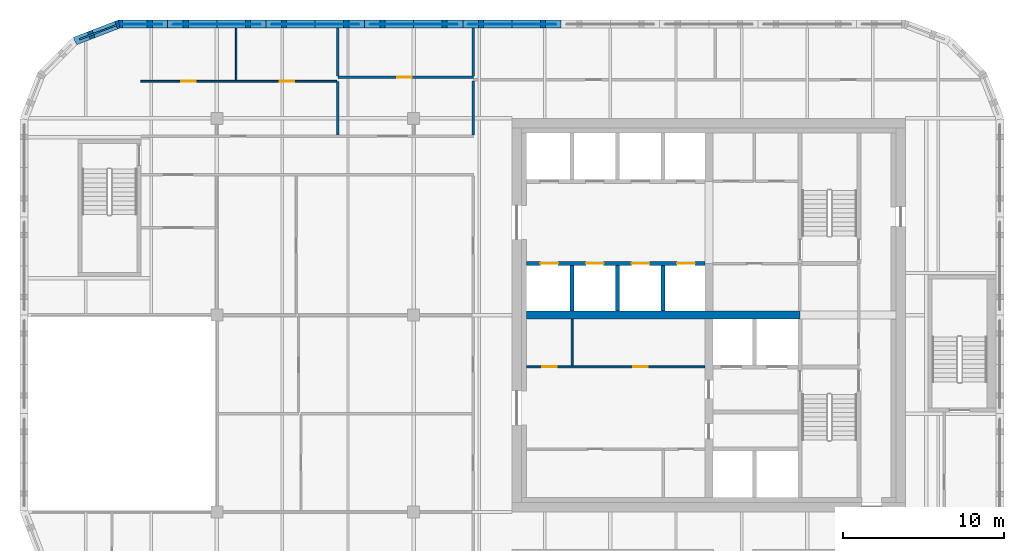
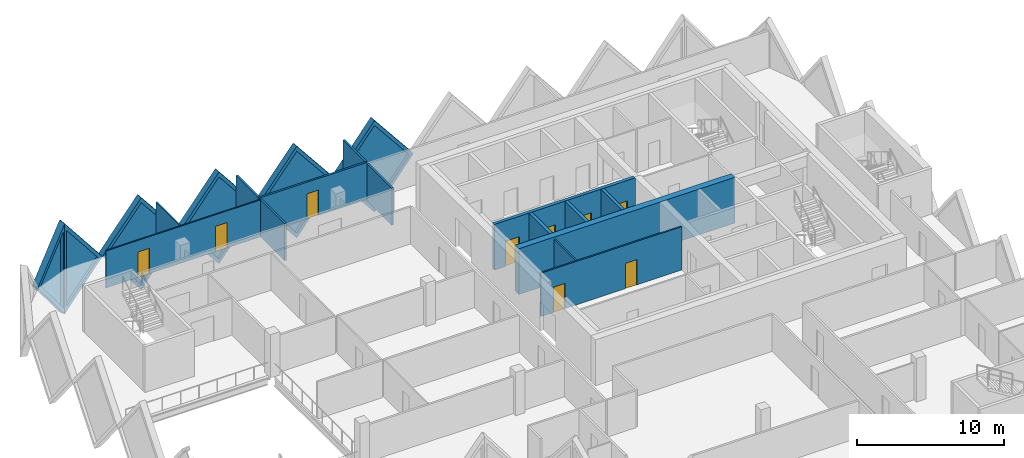
# One storey, part 8 of 12: 20 walls, 9 doors, 6 plates, 15 openings.
"""IFC4 building model written with IfcOpenShell, lengths in metres."""

from ifc_helpers import new_model, si_unit, direction, frame, frame_2d, origin, place, context, subcontext, project, spatial, polyline, rectangle, outline, extrude, faceted_brep, source, transform, mapped, material, layer, layer_set, type_object, element, fill, save


model = new_model("IFC4")

# Units and contexts
model_context = context("Model", 3, precision=1e-05, world=origin(), true_north=direction((0.0, 1.0)))
body_context = subcontext(model_context, "Body", "Model", "MODEL_VIEW")
ifc_project = project(units=[si_unit("LENGTHUNIT", "METRE"), si_unit("AREAUNIT", "SQUARE_METRE"), si_unit("VOLUMEUNIT", "CUBIC_METRE"), si_unit("PLANEANGLEUNIT", "RADIAN"), si_unit("MASSUNIT", "GRAM", prefix="KILO")], contexts=[model_context])

# Site, building, storey
site_placement = place(None, origin())
site = spatial("IfcSite", under=ifc_project, at=site_placement, CompositionType="ELEMENT")
building_placement = place(site_placement, origin())
building = spatial("IfcBuilding", under=site, at=building_placement, Name="Tessera Gate Towers", CompositionType="ELEMENT")
storey_placement = place(building_placement, frame((0.0, 0.0, 185.800048828125)))
storey = spatial("IfcBuildingStorey", under=building, at=storey_placement, Name="L46", CompositionType="ELEMENT", Elevation=185.800048828125)

# Wall, openings, doors
ifc_material_1 = material(Name="Concrete C40/50", Category="concrete")
ifc_layer_1 = layer(ifc_material_1, 0.25)
ifc_layer_set_1 = layer_set([ifc_layer_1], Name="CORE ENCLOSURE WALL 250")
wall_type_1 = type_object("IfcWallType", Name="CORE ENCLOSURE WALL 250", PredefinedType="SOLIDWALL", material=ifc_layer_set_1)
wall_1_placement = place(storey_placement, frame((31.39990234375, 39.800048828125, 0.0), z_axis=(0.0, 0.0, 1.0), x_axis=(1.0, 0.0, 0.0)))
wall_1 = element("IfcWall", 1, at=wall_1_placement, inside=storey, type_object=wall_type_1, Name="L46 shaft and stair enclosure wall", PredefinedType="SOLIDWALL", context=body_context, shape_type="SweptSolid", body=[
    extrude(rectangle(XDim=11.050048828125, YDim=0.25, at=frame_2d((5.52490234375, 0.0))), origin(), (0.0, 0.0, 1.0), 3.800048828125),
])
shared_shape_1 = source(origin(), body_context, "Body", "SweptSolid", [
    extrude(rectangle(XDim=1.10009765625, YDim=2.10009765625, at=frame_2d((0.550048828125, 1.050048828125))), frame((0.0, 0.135009765625, 0.0), z_axis=(0.0, -1.0, 0.0), x_axis=(1.0, 0.0, 0.0)), (0.0, 0.0, 1.0), 0.27001953125),
])
opening_1_placement = place(wall_1_placement, frame((0.862548828125, 0.0, 0.0)))
opening_1 = element("IfcOpeningElement", 2, at=opening_1_placement, cuts=wall_1, Name="Opening LD-HR1", PredefinedType="OPENING", context=body_context, shape_type="MappedRepresentation", body=[
    mapped(shared_shape_1, transform((0.0, 0.0, 0.0), scale=1.0)),
])
opening_2_placement = place(wall_1_placement, frame((3.6875, 0.0, 0.0)))
opening_2 = element("IfcOpeningElement", 3, at=opening_2_placement, cuts=wall_1, Name="Opening LD-HR2", PredefinedType="OPENING", context=body_context, shape_type="MappedRepresentation", body=[
    mapped(shared_shape_1, transform((0.0, 0.0, 0.0), scale=1.0)),
])
opening_3_placement = place(wall_1_placement, frame((6.512451171875, 0.0, 0.0)))
opening_3 = element("IfcOpeningElement", 4, at=opening_3_placement, cuts=wall_1, Name="Opening LD-HR3", PredefinedType="OPENING", context=body_context, shape_type="MappedRepresentation", body=[
    mapped(shared_shape_1, transform((0.0, 0.0, 0.0), scale=1.0)),
])
opening_4_placement = place(wall_1_placement, frame((9.33740234375, 0.0, 0.0)))
opening_4 = element("IfcOpeningElement", 5, at=opening_4_placement, cuts=wall_1, Name="Opening LD-HR4", PredefinedType="OPENING", context=body_context, shape_type="MappedRepresentation", body=[
    mapped(shared_shape_1, transform((0.0, 0.0, 0.0), scale=1.0)),
])
ifc_material_2 = material(Name="Stainless steel", Category="steel")
door_type_1 = type_object("IfcDoorType", Name="CORE DOOR LD 1100x2100", OperationType="DOUBLE_DOOR_SLIDING", PredefinedType="DOOR", material=ifc_material_2)
shared_shape_2 = source(origin(), body_context, "Body", "SweptSolid", [
    extrude(rectangle(XDim=1.10009765625, YDim=2.10009765625, at=frame_2d((0.550048828125, 1.050048828125))), frame((0.0, 0.02490234375, 0.0), z_axis=(0.0, -1.0, 0.0), x_axis=(1.0, 0.0, 0.0)), (0.0, 0.0, 1.0), 0.050048828125),
])
door_1_placement = place(opening_1_placement, origin())
door_1 = element("IfcDoor", 6, at=door_1_placement, inside=storey, type_object=door_type_1, Name="Landing door HR1 L46", OperationType="DOUBLE_DOOR_SLIDING", OverallHeight=2.10009765625, OverallWidth=1.10009765625, PredefinedType="DOOR", context=body_context, shape_type="MappedRepresentation", body=[
    mapped(shared_shape_2, transform((0.0, 0.0, 0.0), scale=1.0)),
])
fill(opening_1, door_1)
door_2_placement = place(opening_2_placement, origin())
door_2 = element("IfcDoor", 7, at=door_2_placement, inside=storey, type_object=door_type_1, Name="Landing door HR2 L46", OperationType="DOUBLE_DOOR_SLIDING", OverallHeight=2.10009765625, OverallWidth=1.10009765625, PredefinedType="DOOR", context=body_context, shape_type="MappedRepresentation", body=[
    mapped(shared_shape_2, transform((0.0, 0.0, 0.0), scale=1.0)),
])
fill(opening_2, door_2)
door_3_placement = place(opening_3_placement, origin())
door_3 = element("IfcDoor", 8, at=door_3_placement, inside=storey, type_object=door_type_1, Name="Landing door HR3 L46", OperationType="DOUBLE_DOOR_SLIDING", OverallHeight=2.10009765625, OverallWidth=1.10009765625, PredefinedType="DOOR", context=body_context, shape_type="MappedRepresentation", body=[
    mapped(shared_shape_2, transform((0.0, 0.0, 0.0), scale=1.0)),
])
fill(opening_3, door_3)
door_4_placement = place(opening_4_placement, origin())
door_4 = element("IfcDoor", 9, at=door_4_placement, inside=storey, type_object=door_type_1, Name="Landing door HR4 L46", OperationType="DOUBLE_DOOR_SLIDING", OverallHeight=2.10009765625, OverallWidth=1.10009765625, PredefinedType="DOOR", context=body_context, shape_type="MappedRepresentation", body=[
    mapped(shared_shape_2, transform((0.0, 0.0, 0.0), scale=1.0)),
])
fill(opening_4, door_4)

# Walls
for number, where, z_axis, x_axis, name in (
    (10, (34.22509765625, 36.85009765625, 0.0), (0.0, 0.0, 1.0), (0.0, 1.0, 0.0), "L46 shaft and stair enclosure wall"),
    (11, (37.050048828125, 36.85009765625, 0.0), (0.0, 0.0, 1.0), (0.0, 1.0, 0.0), "L46 shaft and stair enclosure wall"),
    (12, (39.875, 36.85009765625, 0.0), (0.0, 0.0, 1.0), (0.0, 1.0, 0.0), "L46 shaft and stair enclosure wall"),
):
    element("IfcWall", number, at=place(storey_placement, frame(where, z_axis=z_axis, x_axis=x_axis)), inside=storey, type_object=wall_type_1, Name=name, PredefinedType="SOLIDWALL", context=body_context, shape_type="SweptSolid", body=[
        extrude(rectangle(XDim=2.824951171875, YDim=0.25, at=frame_2d((1.41259765625, 0.0))), origin(), (0.0, 0.0, 1.0), 3.800048828125),
    ])

# Wall, openings, doors
ifc_material_3 = material(Name="Gypsum board on steel studs", Category="steel")
ifc_layer_2 = layer(ifc_material_3, 0.1201171875)
ifc_layer_set_2 = layer_set([ifc_layer_2], Name="CORE PARTITION 120")
wall_type_2 = type_object("IfcWallType", Name="CORE PARTITION 120", PredefinedType="PARTITIONING", material=ifc_layer_set_2)
wall_2_placement = place(storey_placement, frame((31.39990234375, 33.39990234375, 0.0), z_axis=(0.0, 0.0, 1.0), x_axis=(1.0, 0.0, 0.0)))
wall_2 = element("IfcWall", 13, at=wall_2_placement, inside=storey, type_object=wall_type_2, Name="L46 core partition", PredefinedType="PARTITIONING", context=body_context, shape_type="SweptSolid", body=[
    extrude(rectangle(XDim=11.050048828125, YDim=0.1201171875, at=frame_2d((5.52490234375, 0.0))), origin(), (0.0, 0.0, 1.0), 3.599853515625),
])
shared_shape_3 = source(origin(), body_context, "Body", "SweptSolid", [
    extrude(rectangle(XDim=0.89990234375, YDim=2.10009765625, at=frame_2d((0.449951171875, 1.050048828125))), frame((0.0, 0.070068359375, 0.0), z_axis=(0.0, -1.0, 0.0), x_axis=(1.0, 0.0, 0.0)), (0.0, 0.0, 1.0), 0.14013671875),
])
opening_5_placement = place(wall_2_placement, frame((0.96240234375, 0.0, 0.0)))
opening_5 = element("IfcOpeningElement", 14, at=opening_5_placement, cuts=wall_2, Name="Opening RD-T1-28-07", PredefinedType="OPENING", context=body_context, shape_type="MappedRepresentation", body=[
    mapped(shared_shape_3, transform((0.0, 0.0, 0.0), scale=1.0)),
])
opening_6_placement = place(wall_2_placement, frame((6.612548828125, 0.0, 0.0)))
opening_6 = element("IfcOpeningElement", 15, at=opening_6_placement, cuts=wall_2, Name="Opening RD-T1-28-08", PredefinedType="OPENING", context=body_context, shape_type="MappedRepresentation", body=[
    mapped(shared_shape_3, transform((0.0, 0.0, 0.0), scale=1.0)),
])
ifc_material_4 = material(Name="Hollow steel fire door", Category="steel")
door_type_2 = type_object("IfcDoorType", Name="CORE DOOR RD 900x2100", OperationType="NOTDEFINED", PredefinedType="DOOR", material=ifc_material_4)
shared_shape_4 = source(origin(), body_context, "Body", "SweptSolid", [
    extrude(rectangle(XDim=0.89990234375, YDim=2.10009765625, at=frame_2d((0.449951171875, 1.050048828125))), frame((0.0, 0.02490234375, 0.0), z_axis=(0.0, -1.0, 0.0), x_axis=(1.0, 0.0, 0.0)), (0.0, 0.0, 1.0), 0.050048828125),
])
door_5_placement = place(opening_5_placement, origin())
door_5 = element("IfcDoor", 16, at=door_5_placement, inside=storey, type_object=door_type_2, Name="Core room door", OperationType="SINGLE_SWING_LEFT", OverallHeight=2.10009765625, OverallWidth=0.89990234375, PredefinedType="DOOR", context=body_context, shape_type="MappedRepresentation", body=[
    mapped(shared_shape_4, transform((0.0, 0.0, 0.0), scale=1.0)),
])
fill(opening_5, door_5)
door_6_placement = place(opening_6_placement, origin())
door_6 = element("IfcDoor", 17, at=door_6_placement, inside=storey, type_object=door_type_2, Name="Core room door", OperationType="SINGLE_SWING_RIGHT", OverallHeight=2.10009765625, OverallWidth=0.89990234375, PredefinedType="DOOR", context=body_context, shape_type="MappedRepresentation", body=[
    mapped(shared_shape_4, transform((0.0, 0.0, 0.0), scale=1.0)),
])
fill(opening_6, door_6)

# Walls
wall_3_placement = place(storey_placement, frame((34.22509765625, 33.4599609375, 0.0), z_axis=(0.0, 0.0, 1.0), x_axis=(0.0, 1.0, 0.0)))
element("IfcWall", 18, at=wall_3_placement, inside=storey, type_object=wall_type_2, Name="L46 core partition", PredefinedType="PARTITIONING", context=body_context, shape_type="SweptSolid", body=[
    extrude(rectangle(XDim=2.89013671875, YDim=0.1201171875, at=frame_2d((1.445068359375, 0.0))), origin(), (0.0, 0.0, 1.0), 3.599853515625),
])
ifc_material_5 = material(Name="Concrete C50/60", Category="concrete")
ifc_layer_3 = layer(ifc_material_5, 0.5)
ifc_layer_set_3 = layer_set([ifc_layer_3], Name="CORE SPINE WALL 500 C50/60")
wall_type_3 = type_object("IfcWallType", Name="CORE SPINE WALL 500 C50/60", PredefinedType="SHEAR", material=ifc_layer_set_3)
wall_4_placement = place(storey_placement, frame((31.39990234375, 36.60009765625, 0.0), z_axis=(0.0, 0.0, 1.0), x_axis=(1.0, 0.0, 0.0)))
element("IfcWall", 19, at=wall_4_placement, inside=storey, type_object=wall_type_3, Name="Core wall spine L46", PredefinedType="SHEAR", context=body_context, shape_type="SweptSolid", body=[
    extrude(rectangle(XDim=16.9501953125, YDim=0.5, at=frame_2d((8.47509765625, 0.0))), origin(), (0.0, 0.0, 1.0), 3.800048828125),
])
ifc_material_6 = material(Name="Gypsum board on steel studs, mineral wool", Category="steel")
ifc_layer_4 = layer(ifc_material_6, 0.14990234375)
ifc_layer_set_4 = layer_set([ifc_layer_4], Name="CORRIDOR WALL 150")
wall_type_4 = type_object("IfcWallType", Name="CORRIDOR WALL 150", PredefinedType="PARTITIONING", material=ifc_layer_set_4)
wall_5_placement = place(storey_placement, frame((28.10009765625, 47.77587890625, 0.0), z_axis=(0.0, 0.0, 1.0), x_axis=(0.0, 1.0, 0.0)))
element("IfcWall", 20, at=wall_5_placement, inside=storey, type_object=wall_type_4, Name="T1-L46-PW-044", PredefinedType="PARTITIONING", context=body_context, shape_type="SweptSolid", body=[
    extrude(rectangle(XDim=3.34814453125, YDim=0.14990234375, at=frame_2d((1.674072265625, 0.0))), origin(), (0.0, 0.0, 1.0), 3.06689453125),
])

# Wall, openings, doors
ifc_material_7 = material(Name="Gypsum board on steel studs", Category="steel")
ifc_layer_5 = layer(ifc_material_7, 0.10009765625)
ifc_layer_set_5 = layer_set([ifc_layer_5], Name="PARTITION 100")
wall_type_5 = type_object("IfcWallType", Name="PARTITION 100", PredefinedType="PARTITIONING", material=ifc_layer_set_5)
wall_6_placement = place(storey_placement, frame((7.5, 51.10009765625, 0.0), z_axis=(0.0, 0.0, 1.0), x_axis=(1.0, 0.0, 0.0)))
wall_6 = element("IfcWall", 21, at=wall_6_placement, inside=storey, type_object=wall_type_5, Name="T1-L46-PW-047", PredefinedType="PARTITIONING", context=body_context, shape_type="SweptSolid", body=[
    extrude(rectangle(XDim=12.1240234375, YDim=0.10009765625, at=frame_2d((6.06201171875, 0.0))), origin(), (0.0, 0.0, 1.0), 3.06689453125),
])
shared_shape_5 = source(origin(), body_context, "Body", "SweptSolid", [
    extrude(rectangle(XDim=0.89990234375, YDim=2.10009765625, at=frame_2d((0.449951171875, 1.050048828125))), frame((0.0, 0.06005859375, 0.0), z_axis=(0.0, -1.0, 0.0), x_axis=(1.0, 0.0, 0.0)), (0.0, 0.0, 1.0), 0.1201171875),
])
opening_7_placement = place(wall_6_placement, frame((2.5, 0.0, 0.0)))
opening_7 = element("IfcOpeningElement", 22, at=opening_7_placement, cuts=wall_6, Name="Opening D190-A17-03", PredefinedType="OPENING", context=body_context, shape_type="MappedRepresentation", body=[
    mapped(shared_shape_5, transform((0.0, 0.0, 0.0), scale=1.0)),
])
opening_8_placement = place(wall_6_placement, frame((8.59375, 0.0, 0.0)))
opening_8 = element("IfcOpeningElement", 23, at=opening_8_placement, cuts=wall_6, Name="Opening D190-A17-06", PredefinedType="OPENING", context=body_context, shape_type="MappedRepresentation", body=[
    mapped(shared_shape_5, transform((0.0, 0.0, 0.0), scale=1.0)),
])
ifc_material_8 = material(Name="Timber door leaf in steel frame", Category="steel")
door_type_3 = type_object("IfcDoorType", Name="INTERNAL DOOR 900 NOT RATED", OperationType="NOTDEFINED", PredefinedType="DOOR", material=ifc_material_8)
door_7_placement = place(opening_7_placement, origin())
door_7 = element("IfcDoor", 24, at=door_7_placement, inside=storey, type_object=door_type_3, Name="T1-L46-PD-011", OperationType="SINGLE_SWING_LEFT", OverallHeight=2.10009765625, OverallWidth=0.89990234375, PredefinedType="DOOR", context=body_context, shape_type="MappedRepresentation", body=[
    mapped(shared_shape_4, transform((0.0, 0.0, 0.0), scale=1.0)),
])
fill(opening_7, door_7)
door_8_placement = place(opening_8_placement, origin())
door_8 = element("IfcDoor", 25, at=door_8_placement, inside=storey, type_object=door_type_3, Name="T1-L46-PD-017", OperationType="SINGLE_SWING_LEFT", OverallHeight=2.10009765625, OverallWidth=0.89990234375, PredefinedType="DOOR", context=body_context, shape_type="MappedRepresentation", body=[
    mapped(shared_shape_4, transform((0.0, 0.0, 0.0), scale=1.0)),
])
fill(opening_8, door_8)

# Walls
wall_7_placement = place(storey_placement, frame((13.39404296875, 51.15087890625, 0.0), z_axis=(0.0, 0.0, 1.0), x_axis=(0.0, 1.0, 0.0)))
element("IfcWall", 26, at=wall_7_placement, inside=storey, type_object=wall_type_5, Name="T1-L46-PW-048", PredefinedType="PARTITIONING", context=body_context, shape_type="SweptSolid", body=[
    extrude(rectangle(XDim=3.2490234375, YDim=0.10009765625, at=frame_2d((1.62451171875, 0.0))), origin(), (0.0, 0.0, 1.0), 3.06689453125),
])
ifc_material_9 = material(Name="Gypsum board on steel studs, mineral wool", Category="steel")
ifc_layer_6 = layer(ifc_material_9, 0.14990234375)
ifc_layer_set_6 = layer_set([ifc_layer_6], Name="TENANCY WALL 150")
wall_type_6 = type_object("IfcWallType", Name="TENANCY WALL 150", PredefinedType="PARTITIONING", material=ifc_layer_set_6)
wall_8_placement = place(storey_placement, frame((19.699951171875, 47.77587890625, 0.0), z_axis=(0.0, 0.0, 1.0), x_axis=(0.0, 1.0, 0.0)))
element("IfcWall", 27, at=wall_8_placement, inside=storey, type_object=wall_type_6, Name="T1-L46-PW-043", PredefinedType="PARTITIONING", context=body_context, shape_type="SweptSolid", body=[
    extrude(rectangle(XDim=3.32421875, YDim=0.14990234375, at=frame_2d((1.662109375, 0.0))), origin(), (0.0, 0.0, 1.0), 3.06689453125),
])

# Wall, opening, door
wall_9_placement = place(storey_placement, frame((19.699951171875, 51.35009765625, 0.0), z_axis=(0.0, 0.0, 1.0), x_axis=(1.0, 0.0, 0.0)))
wall_9 = element("IfcWall", 28, at=wall_9_placement, inside=storey, type_object=wall_type_6, Name="T1-L46-PW-051", PredefinedType="PARTITIONING", context=body_context, shape_type="SweptSolid", body=[
    extrude(rectangle(XDim=8.400146484375, YDim=0.14990234375, at=frame_2d((4.2001953125, 0.0))), origin(), (0.0, 0.0, 1.0), 3.06689453125),
])
shared_shape_6 = source(origin(), body_context, "Body", "SweptSolid", [
    extrude(rectangle(XDim=0.89990234375, YDim=2.10009765625, at=frame_2d((0.449951171875, 1.050048828125))), frame((0.0, 0.0849609375, 0.0), z_axis=(0.0, -1.0, 0.0), x_axis=(1.0, 0.0, 0.0)), (0.0, 0.0, 1.0), 0.169921875),
])
opening_9_placement = place(wall_9_placement, frame((3.699951171875, 0.0, 0.0)))
opening_9 = element("IfcOpeningElement", 29, at=opening_9_placement, cuts=wall_9, Name="Opening D190-A17-07", PredefinedType="OPENING", context=body_context, shape_type="MappedRepresentation", body=[
    mapped(shared_shape_6, transform((0.0, 0.0, 0.0), scale=1.0)),
])
door_9_placement = place(opening_9_placement, origin())
door_9 = element("IfcDoor", 30, at=door_9_placement, inside=storey, type_object=door_type_3, Name="T1-L46-PD-019", OperationType="SINGLE_SWING_LEFT", OverallHeight=2.10009765625, OverallWidth=0.89990234375, PredefinedType="DOOR", context=body_context, shape_type="MappedRepresentation", body=[
    mapped(shared_shape_4, transform((0.0, 0.0, 0.0), scale=1.0)),
])
fill(opening_9, door_9)

# Walls
for number, where, z_axis, x_axis, name in (
    (31, (19.699951171875, 51.426025390625, 0.0), (0.0, 0.0, 1.0), (0.0, 1.0, 0.0), "T1-L46-PW-052"),
    (32, (28.10009765625, 51.426025390625, 0.0), (0.0, 0.0, 1.0), (0.0, 1.0, 0.0), "T1-L46-PW-053"),
):
    element("IfcWall", number, at=place(storey_placement, frame(where, z_axis=z_axis, x_axis=x_axis)), inside=storey, type_object=wall_type_6, Name=name, PredefinedType="PARTITIONING", context=body_context, shape_type="SweptSolid", body=[
        extrude(rectangle(XDim=2.973876953125, YDim=0.14990234375, at=frame_2d((1.48681640625, 0.0))), origin(), (0.0, 0.0, 1.0), 3.06689453125),
    ])

# Wall, opening, plate
ifc_material_10 = material(Name="Precast concrete C60/75 white", Category="concrete")
ifc_layer_7 = layer(ifc_material_10, 0.5)
ifc_layer_set_7 = layer_set([ifc_layer_7], Name="TS1 tessera")
wall_type_7 = type_object("IfcWallType", Name="TS1 tessera", PredefinedType="SOLIDWALL", material=ifc_layer_set_7)
shared_shape_7 = source(origin(), body_context, "Body", "Brep", [
    faceted_brep([(3.050048828125, -0.25, 0.0), (6.099853515625, -0.25, 3.7998046875), (6.099853515625, -0.25, 3.80029296875), (3.050048828125, -0.25, 7.60009765625), (0.0, -0.25, 3.800048828125), (0.0, 0.25, 3.800048828125), (3.050048828125, 0.25, 7.60009765625), (6.099853515625, 0.25, 3.80029296875), (6.099853515625, 0.25, 3.7998046875), (3.050048828125, 0.25, 0.0)], [[[0, 1, 2, 3, 4]], [[5, 6, 7, 8, 9]], [[9, 8, 1, 0]], [[7, 6, 3, 2]], [[6, 5, 4, 3]], [[5, 9, 0, 4]], [[1, 8, 7, 2]]]),
])
wall_10_placement = place(storey_placement, frame((27.449951171875, 54.64990234375, -3.800048828125), z_axis=(0.0, 0.0, 1.0), x_axis=(-1.0, 0.0, 0.0)))
wall_10 = element("IfcWall", 33, at=wall_10_placement, inside=storey, type_object=wall_type_7, Name="Precast tessera T1 TS1-0819", PredefinedType="SOLIDWALL", context=body_context, shape_type="MappedRepresentation", body=[
    mapped(shared_shape_7, transform((0.0, 0.0, 0.0), scale=1.0)),
])
shared_shape_8 = source(origin(), body_context, "Body", "SweptSolid", [
    extrude(outline(polyline([(3.050048828125, 0.3994140625), (5.779541015625, 3.800048828125), (3.050048828125, 7.20068359375), (0.320556640625, 3.800048828125), (3.050048828125, 0.3994140625)])), frame((0.0, 0.260009765625, 0.0), z_axis=(0.0, -1.0, 0.0), x_axis=(1.0, 0.0, 0.0)), (0.0, 0.0, 1.0), 0.52001953125),
])
opening_10_placement = place(wall_10_placement, origin())
opening_10 = element("IfcOpeningElement", 34, at=opening_10_placement, cuts=wall_10, Name="Opening T1-PL2-1669", PredefinedType="OPENING", context=body_context, shape_type="MappedRepresentation", body=[
    mapped(shared_shape_8, transform((0.0, 0.0, 0.0), scale=1.0)),
])
ifc_material_11 = material(Name="Low-e laminated glass", Category="glass")
ifc_layer_8 = layer(ifc_material_11, 0.06005859375)
ifc_layer_set_8 = layer_set([ifc_layer_8], Name="PL2 rhombic pane")
plate_type = type_object("IfcPlateType", Name="PL2 rhombic pane", PredefinedType="SHEET", material=ifc_layer_set_8)
shared_shape_9 = source(origin(), body_context, "Body", "SweptSolid", [
    extrude(outline(polyline([(3.050048828125, 0.3994140625), (5.779541015625, 3.800048828125), (3.050048828125, 7.20068359375), (0.320556640625, 3.800048828125), (3.050048828125, 0.3994140625)])), frame((0.0, 0.030029296875, 0.0), z_axis=(0.0, -1.0, 0.0), x_axis=(1.0, 0.0, 0.0)), (0.0, 0.0, 1.0), 0.06005859375),
])
plate_1_placement = place(opening_10_placement, origin())
plate_1 = element("IfcPlate", 35, at=plate_1_placement, inside=storey, type_object=plate_type, Name="Glass pane T1 PL2-1669", PredefinedType="SHEET", context=body_context, shape_type="MappedRepresentation", body=[
    mapped(shared_shape_9, transform((0.0, 0.0, 0.0), scale=1.0)),
])
fill(opening_10, plate_1)

shared_shape_10 = source(origin(), body_context, "Body", "SweptSolid", [
    extrude(outline(polyline([(3.050048828125, 0.0), (6.10009765625, 3.800048828125), (3.050048828125, 7.60009765625), (0.0, 3.800048828125), (3.050048828125, 0.0)])), frame((0.0, 0.25, 0.0), z_axis=(0.0, -1.0, 0.0), x_axis=(1.0, 0.0, 0.0)), (0.0, 0.0, 1.0), 0.5),
])
wall_11_placement = place(storey_placement, frame((33.550048828125, 54.64990234375, -3.800048828125), z_axis=(0.0, 0.0, 1.0), x_axis=(-1.0, 0.0, 0.0)))
wall_11 = element("IfcWall", 36, at=wall_11_placement, inside=storey, type_object=wall_type_7, Name="Precast tessera T1 TS1-0818", PredefinedType="SOLIDWALL", context=body_context, shape_type="MappedRepresentation", body=[
    mapped(shared_shape_10, transform((0.0, 0.0, 0.0), scale=1.0)),
])
opening_11_placement = place(wall_11_placement, origin())
opening_11 = element("IfcOpeningElement", 37, at=opening_11_placement, cuts=wall_11, Name="Opening T1-PL2-1668", PredefinedType="OPENING", context=body_context, shape_type="MappedRepresentation", body=[
    mapped(shared_shape_8, transform((0.0, 0.0, 0.0), scale=1.0)),
])
plate_2_placement = place(opening_11_placement, origin())
plate_2 = element("IfcPlate", 38, at=plate_2_placement, inside=storey, type_object=plate_type, Name="Glass pane T1 PL2-1668", PredefinedType="SHEET", context=body_context, shape_type="MappedRepresentation", body=[
    mapped(shared_shape_9, transform((0.0, 0.0, 0.0), scale=1.0)),
])
fill(opening_11, plate_2)

wall_12_placement = place(storey_placement, frame((21.35009765625, 54.64990234375, -3.800048828125), z_axis=(0.0, 0.0, 1.0), x_axis=(-1.0, 0.0, 0.0)))
wall_12 = element("IfcWall", 39, at=wall_12_placement, inside=storey, type_object=wall_type_7, Name="Precast tessera T1 TS1-0820", PredefinedType="SOLIDWALL", context=body_context, shape_type="MappedRepresentation", body=[
    mapped(shared_shape_10, transform((0.0, 0.0, 0.0), scale=1.0)),
])
opening_12_placement = place(wall_12_placement, origin())
opening_12 = element("IfcOpeningElement", 40, at=opening_12_placement, cuts=wall_12, Name="Opening T1-PL2-1670", PredefinedType="OPENING", context=body_context, shape_type="MappedRepresentation", body=[
    mapped(shared_shape_8, transform((0.0, 0.0, 0.0), scale=1.0)),
])
plate_3_placement = place(opening_12_placement, origin())
plate_3 = element("IfcPlate", 41, at=plate_3_placement, inside=storey, type_object=plate_type, Name="Glass pane T1 PL2-1670", PredefinedType="SHEET", context=body_context, shape_type="MappedRepresentation", body=[
    mapped(shared_shape_9, transform((0.0, 0.0, 0.0), scale=1.0)),
])
fill(opening_12, plate_3)

wall_13_placement = place(storey_placement, frame((15.25, 54.64990234375, -3.800048828125), z_axis=(0.0, 0.0, 1.0), x_axis=(-1.0, 0.0, 0.0)))
wall_13 = element("IfcWall", 42, at=wall_13_placement, inside=storey, type_object=wall_type_7, Name="Precast tessera T1 TS1-0821", PredefinedType="SOLIDWALL", context=body_context, shape_type="MappedRepresentation", body=[
    mapped(shared_shape_10, transform((0.0, 0.0, 0.0), scale=1.0)),
])
opening_13_placement = place(wall_13_placement, origin())
opening_13 = element("IfcOpeningElement", 43, at=opening_13_placement, cuts=wall_13, Name="Opening T1-PL2-1671", PredefinedType="OPENING", context=body_context, shape_type="MappedRepresentation", body=[
    mapped(shared_shape_8, transform((0.0, 0.0, 0.0), scale=1.0)),
])
plate_4_placement = place(opening_13_placement, origin())
plate_4 = element("IfcPlate", 44, at=plate_4_placement, inside=storey, type_object=plate_type, Name="Glass pane T1 PL2-1671", PredefinedType="SHEET", context=body_context, shape_type="MappedRepresentation", body=[
    mapped(shared_shape_9, transform((0.0, 0.0, 0.0), scale=1.0)),
])
fill(opening_13, plate_4)

ifc_material_12 = material(Name="Precast concrete C60/75 white", Category="concrete")
ifc_layer_9 = layer(ifc_material_12, 0.5)
ifc_layer_set_9 = layer_set([ifc_layer_9], Name="TS3 corner tessera")
wall_type_8 = type_object("IfcWallType", Name="TS3 corner tessera", PredefinedType="SOLIDWALL", material=ifc_layer_set_9)
shared_shape_11 = source(origin(), body_context, "Body", "Brep", [
    faceted_brep([(3.00341796875, -0.25, 0.0), (3.050048828125, -0.25, 0.06005859375), (3.050048828125, -0.25, 7.5400390625), (3.00341796875, -0.25, 7.60009765625), (0.0, -0.25, 3.800048828125), (0.0, 0.25, 3.800048828125), (2.956787109375, 0.25, 7.541259765625), (2.956787109375, 0.25, 0.058837890625), (3.00341796875, 0.000244140625, 0.0), (3.00341796875, 0.000244140625, 7.60009765625)], [[[0, 1, 2, 3, 4]], [[5, 6, 7]], [[1, 0, 8]], [[9, 3, 2]], [[6, 5, 4, 3, 9]], [[5, 7, 8, 0, 4]], [[1, 8, 7, 6, 9, 2]]]),
])
wall_14_placement = place(storey_placement, frame((9.14990234375, 54.64990234375, -3.800048828125), z_axis=(0.0, 0.0, 1.0), x_axis=(-1.0, 0.0, 0.0)))
wall_14 = element("IfcWall", 45, at=wall_14_placement, inside=storey, type_object=wall_type_8, Name="Precast corner tessera T1 TS3-1067", PredefinedType="SOLIDWALL", context=body_context, shape_type="MappedRepresentation", body=[
    mapped(shared_shape_11, transform((0.0, 0.0, 0.0), scale=1.0)),
])
shared_shape_12 = source(origin(), body_context, "Body", "SweptSolid", [
    extrude(outline(polyline([(2.803466796875, 6.94384765625), (0.318603515625, 3.800048828125), (2.803466796875, 0.65625), (2.803466796875, 6.94384765625)])), frame((0.0, 0.260009765625, 0.0), z_axis=(0.0, -1.0, 0.0), x_axis=(1.0, 0.0, 0.0)), (0.0, 0.0, 1.0), 0.52001953125),
])
opening_14_placement = place(wall_14_placement, origin())
opening_14 = element("IfcOpeningElement", 46, at=opening_14_placement, cuts=wall_14, Name="Opening T1-PL2-1672", PredefinedType="OPENING", context=body_context, shape_type="MappedRepresentation", body=[
    mapped(shared_shape_12, transform((0.0, 0.0, 0.0), scale=1.0)),
])
shared_shape_13 = source(origin(), body_context, "Body", "SweptSolid", [
    extrude(outline(polyline([(2.803466796875, 6.94384765625), (0.318603515625, 3.800048828125), (2.803466796875, 0.65625), (2.803466796875, 6.94384765625)])), frame((0.0, 0.030029296875, 0.0), z_axis=(0.0, -1.0, 0.0), x_axis=(1.0, 0.0, 0.0)), (0.0, 0.0, 1.0), 0.06005859375),
])
plate_5_placement = place(opening_14_placement, origin())
plate_5 = element("IfcPlate", 47, at=plate_5_placement, inside=storey, type_object=plate_type, Name="Glass pane T1 PL2-1672", PredefinedType="SHEET", context=body_context, shape_type="MappedRepresentation", body=[
    mapped(shared_shape_13, transform((0.0, 0.0, 0.0), scale=1.0)),
])
fill(opening_14, plate_5)

shared_shape_14 = source(origin(), body_context, "Body", "Brep", [
    faceted_brep([(0.046630859375, -0.25, 0.0), (2.9970703125, -0.25, 3.800048828125), (0.046630859375, -0.25, 7.60009765625), (0.0, -0.25, 7.541259765625), (0.0, -0.25, 0.058837890625), (0.09326171875, 0.25, 7.5400390625), (2.9443359375, 0.25, 3.8681640625), (2.9443359375, 0.25, 3.73193359375), (0.09326171875, 0.25, 0.06005859375), (2.9970703125, 0.00048828125, 3.800048828125), (0.046630859375, 0.0, 0.0), (0.046630859375, 0.0, 7.60009765625)], [[[0, 1, 2, 3, 4]], [[5, 6, 7, 8]], [[8, 7, 9, 1, 0, 10]], [[6, 5, 11, 2, 1, 9]], [[3, 2, 11]], [[10, 0, 4]], [[8, 10, 4, 3, 11, 5]], [[9, 7, 6]]]),
])
wall_15_placement = place(storey_placement, frame((6.18994140625, 54.666748046875, -3.800048828125), z_axis=(0.0, 0.0, 1.0), x_axis=(-0.932990326376, -0.359901446078, 0.0)))
wall_15 = element("IfcWall", 48, at=wall_15_placement, inside=storey, type_object=wall_type_8, Name="Precast corner tessera T1 TS3-1068", PredefinedType="SOLIDWALL", context=body_context, shape_type="MappedRepresentation", body=[
    mapped(shared_shape_14, transform((0.0, 0.0, 0.0), scale=1.0)),
])
shared_shape_15 = source(origin(), body_context, "Body", "SweptSolid", [
    extrude(outline(polyline([(0.24658203125, 0.665283203125), (2.6806640625, 3.800048828125), (0.24658203125, 6.934814453125), (0.24658203125, 0.665283203125)])), frame((0.0, 0.260009765625, 0.0), z_axis=(0.0, -1.0, 0.0), x_axis=(1.0, 0.0, 0.0)), (0.0, 0.0, 1.0), 0.52001953125),
])
opening_15_placement = place(wall_15_placement, origin())
opening_15 = element("IfcOpeningElement", 49, at=opening_15_placement, cuts=wall_15, Name="Opening T1-PL2-1673", PredefinedType="OPENING", context=body_context, shape_type="MappedRepresentation", body=[
    mapped(shared_shape_15, transform((0.0, 0.0, 0.0), scale=1.0)),
])
shared_shape_16 = source(origin(), body_context, "Body", "SweptSolid", [
    extrude(outline(polyline([(0.24658203125, 0.665283203125), (2.6806640625, 3.800048828125), (0.24658203125, 6.934814453125), (0.24658203125, 0.665283203125)])), frame((0.0, 0.030029296875, 0.0), z_axis=(0.0, -1.0, 0.0), x_axis=(1.0, 0.0, 0.0)), (0.0, 0.0, 1.0), 0.06005859375),
])
plate_6_placement = place(opening_15_placement, origin())
plate_6 = element("IfcPlate", 50, at=plate_6_placement, inside=storey, type_object=plate_type, Name="Glass pane T1 PL2-1673", PredefinedType="SHEET", context=body_context, shape_type="MappedRepresentation", body=[
    mapped(shared_shape_16, transform((0.0, 0.0, 0.0), scale=1.0)),
])
fill(opening_15, plate_6)

save(model, "model.ifc")
